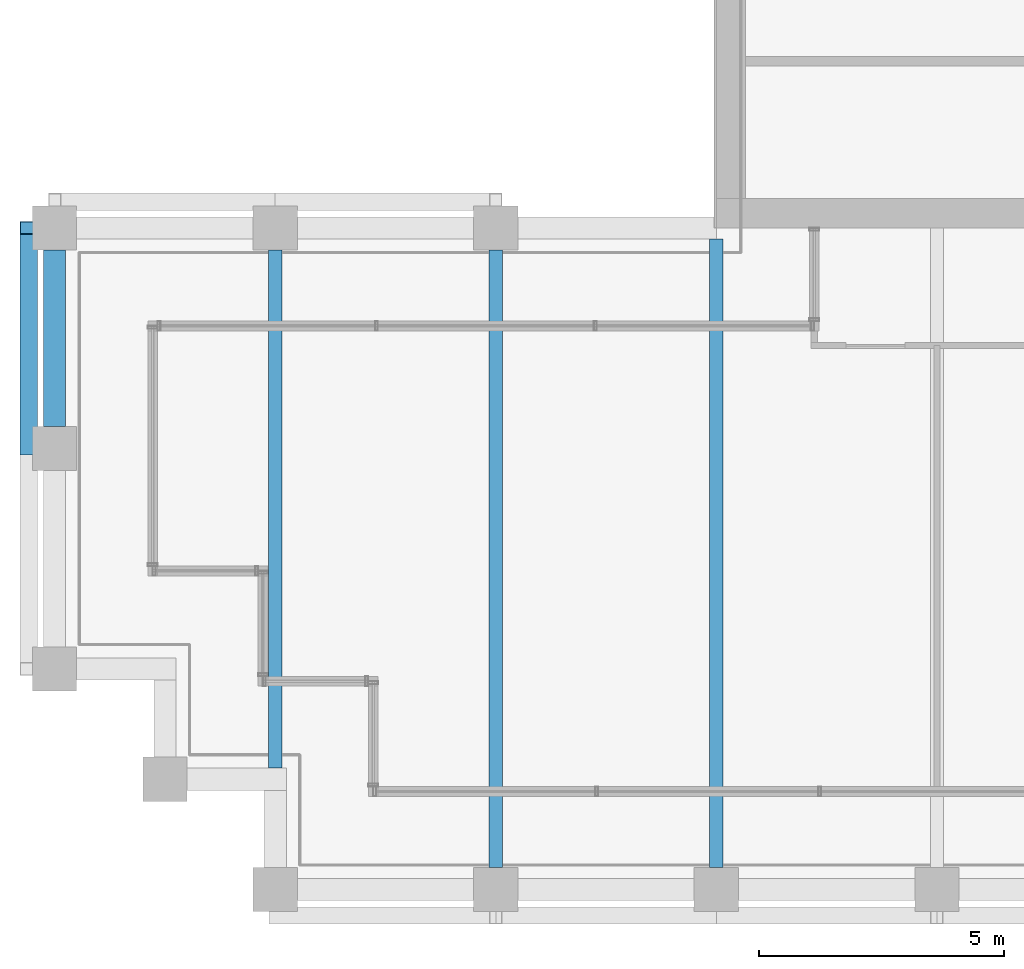
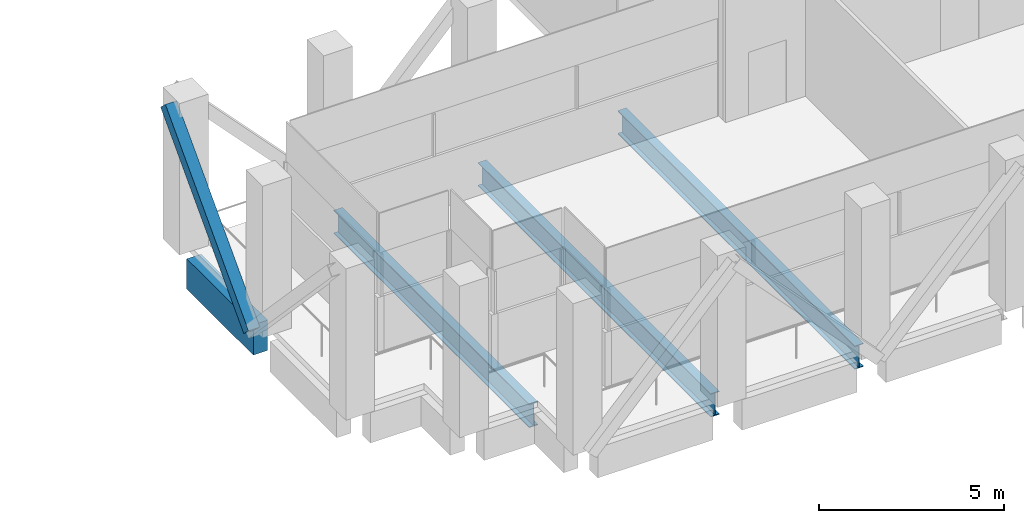
# One storey, part 3 of 34: 4 beams, 1 member.
"""IFC4 building model written with IfcOpenShell, lengths in metres."""

from ifc_helpers import new_model, si_unit, direction, frame, origin, origin_2d, place, context, subcontext, project, spatial, rectangle, hollow_rectangle, i_section, extrude, material, material_profile, profile_set, type_object, element, save


model = new_model("IFC4")

# Units and contexts
model_context = context("Model", 3, precision=1e-05, world=origin(), true_north=direction((0.0, 1.0)))
body_context = subcontext(model_context, "Body", "Model", "MODEL_VIEW")
ifc_project = project(units=[si_unit("LENGTHUNIT", "METRE"), si_unit("AREAUNIT", "SQUARE_METRE"), si_unit("VOLUMEUNIT", "CUBIC_METRE"), si_unit("PLANEANGLEUNIT", "RADIAN"), si_unit("MASSUNIT", "GRAM", prefix="KILO")], contexts=[model_context])

# Site, building, storey
site_placement = place(None, origin())
site = spatial("IfcSite", under=ifc_project, at=site_placement, CompositionType="ELEMENT")
building_placement = place(site_placement, origin())
building = spatial("IfcBuilding", under=site, at=building_placement, Name="Altepetl Exchange Towers", CompositionType="ELEMENT")
storey_placement = place(building_placement, frame((0.0, 0.0, 190.60009765625)))
storey = spatial("IfcBuildingStorey", under=building, at=storey_placement, Name="L48 Refuge", CompositionType="ELEMENT", Elevation=190.60009765625)

# Member
ifc_material_1 = material(Name="Steel S355", Category="steel")
ifc_material_profile_1 = material_profile(ifc_material_1, hollow_rectangle(XDim=0.35595703125, YDim=0.35595703125, WallThickness=0.014892578125, at=origin_2d()), Name="HSS356X356X15.9")
ifc_profile_set_1 = profile_set([ifc_material_profile_1], Name="Steel S355")
member_type = type_object("IfcMemberType", Name="Belt diagonal HSS356X356X15.9", PredefinedType="BRACE", material=ifc_profile_set_1)
member_placement = place(storey_placement, frame((26.469970703125, 40.5, 4.75), z_axis=(0.0, -0.687744647911, -0.725952683906), x_axis=(1.0, 0.0, 0.0)))
element("IfcMember", 1, at=member_placement, inside=storey, type_object=member_type, Name="brc:A:L48:023", PredefinedType="BRACE", context=body_context, shape_type="SweptSolid", body=[
    extrude(hollow_rectangle(XDim=0.35595703125, YDim=0.35595703125, WallThickness=0.014892578125, at=origin_2d()), origin(), (0.0, 0.0, 1.0), 6.543212890625),
])

# Beams
ifc_material_profile_2 = material_profile(ifc_material_1, i_section(OverallWidth=0.26806640625, OverallDepth=0.77392578125, WebThickness=0.015380859375, FlangeThickness=0.025390625, at=origin_2d()), Name="W30X132")
ifc_profile_set_2 = profile_set([ifc_material_profile_2], Name="Steel S355")
beam_type_1 = type_object("IfcBeamType", Name="Floor beam W30X132", PredefinedType="BEAM", material=ifc_profile_set_2)
beam_1_placement = place(storey_placement, frame((31.5, 29.47509765625, -0.587158203125), z_axis=(0.0, 1.0, 0.0), x_axis=(-1.0, 0.0, 0.0)))
element("IfcBeam", 2, at=beam_1_placement, inside=storey, type_object=beam_type_1, Name="bm:A:L48:012", PredefinedType="BEAM", context=body_context, shape_type="SweptSolid", body=[
    extrude(i_section(OverallWidth=0.26806640625, OverallDepth=0.77392578125, WebThickness=0.015380859375, FlangeThickness=0.025390625, at=origin_2d()), origin(), (0.0, 0.0, 1.0), 10.574951171875),
])
beam_2_placement = place(storey_placement, frame((36.0, 27.449951171875, -0.587158203125), z_axis=(0.0, 1.0, 0.0), x_axis=(-1.0, 0.0, 0.0)))
element("IfcBeam", 3, at=beam_2_placement, inside=storey, type_object=beam_type_1, Name="bm:A:L48:013", PredefinedType="BEAM", context=body_context, shape_type="SweptSolid", body=[
    extrude(i_section(OverallWidth=0.26806640625, OverallDepth=0.77392578125, WebThickness=0.015380859375, FlangeThickness=0.025390625, at=origin_2d()), origin(), (0.0, 0.0, 1.0), 12.60009765625),
])
beam_3_placement = place(storey_placement, frame((40.5, 27.449951171875, -0.587158203125), z_axis=(0.0, 1.0, 0.0), x_axis=(-1.0, 0.0, 0.0)))
element("IfcBeam", 4, at=beam_3_placement, inside=storey, type_object=beam_type_1, Name="bm:A:L48:014", PredefinedType="BEAM", context=body_context, shape_type="SweptSolid", body=[
    extrude(i_section(OverallWidth=0.26806640625, OverallDepth=0.77392578125, WebThickness=0.015380859375, FlangeThickness=0.025390625, at=origin_2d()), origin(), (0.0, 0.0, 1.0), 12.824951171875),
])
ifc_material_2 = material(Name="Concrete C50/60 precast with cantera blanca facing", Category="concrete")
ifc_material_profile_3 = material_profile(ifc_material_2, rectangle(XDim=0.449951171875, YDim=1.0, at=origin_2d()), Name="450 x 1000")
ifc_profile_set_3 = profile_set([ifc_material_profile_3], Name="Concrete C50/60 precast with cantera blanca facing")
beam_type_2 = type_object("IfcBeamType", Name="Spandrel beam 450x1000 cantera blanca", PredefinedType="SPANDREL", material=ifc_profile_set_3)
beam_4_placement = place(storey_placement, frame((27.0, 40.050048828125, -0.7001953125), z_axis=(0.0, -1.0, 0.0), x_axis=(1.0, 0.0, 0.0)))
element("IfcBeam", 5, at=beam_4_placement, inside=storey, type_object=beam_type_2, Name="sp:A:L48:036", PredefinedType="SPANDREL", context=body_context, shape_type="SweptSolid", body=[
    extrude(rectangle(XDim=0.449951171875, YDim=1.0, at=origin_2d()), origin(), (0.0, 0.0, 1.0), 3.60009765625),
])

save(model, "model.ifc")
